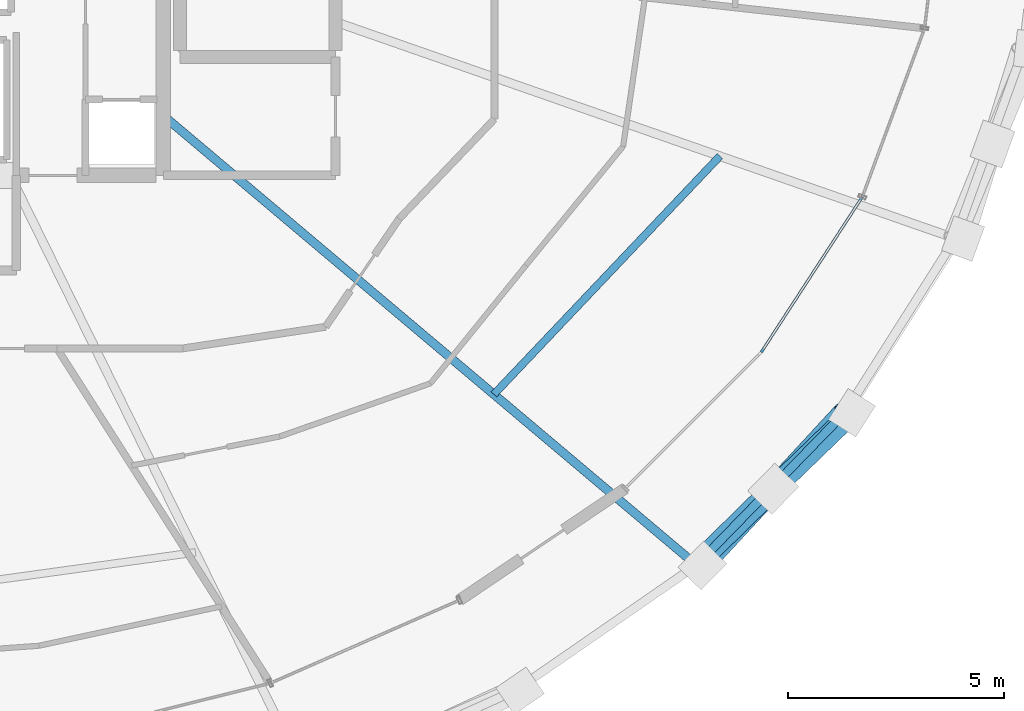
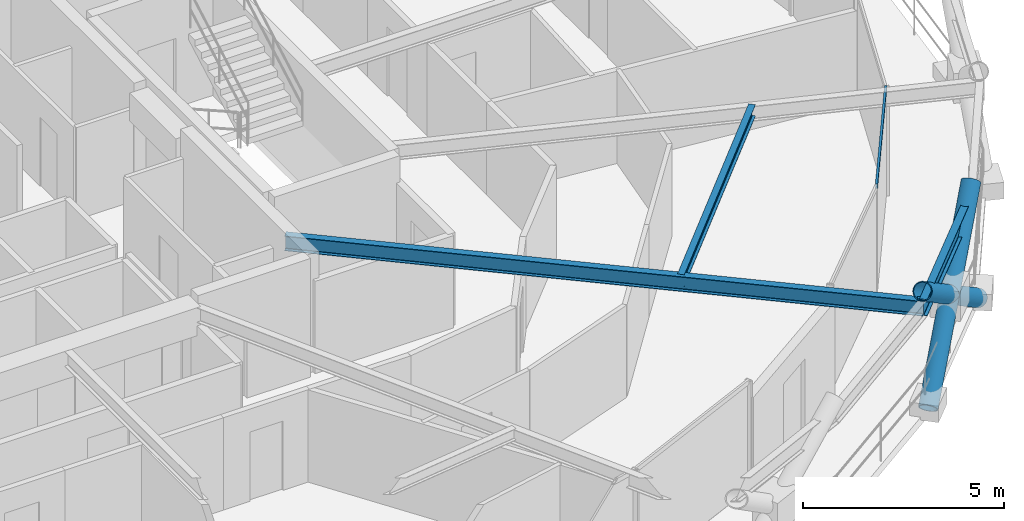
# One storey, part 7 of 17: 4 members, 3 beams, 1 element without a shape of its own.
"""IFC4 building model written with IfcOpenShell, lengths in metres."""

from ifc_helpers import new_model, si_unit, direction, frame, origin, origin_2d, place, context, subcontext, project, spatial, hollow_rectangle, hollow_circle, i_section, extrude, material, layer, layer_set, material_profile, profile_set, type_object, element, aggregate, save


model = new_model("IFC4")

# Units and contexts
model_context = context("Model", 3, precision=1e-05, world=origin(), true_north=direction((0.0, 1.0)))
body_context = subcontext(model_context, "Body", "Model", "MODEL_VIEW")
ifc_project = project(units=[si_unit("LENGTHUNIT", "METRE"), si_unit("AREAUNIT", "SQUARE_METRE"), si_unit("VOLUMEUNIT", "CUBIC_METRE"), si_unit("PLANEANGLEUNIT", "RADIAN"), si_unit("MASSUNIT", "GRAM", prefix="KILO")], contexts=[model_context])

# Site, building, storey
site_placement = place(None, origin())
site = spatial("IfcSite", under=ifc_project, at=site_placement, CompositionType="ELEMENT")
building_placement = place(site_placement, origin())
building = spatial("IfcBuilding", under=site, at=building_placement, Name="Veldorina Hangang Commons", CompositionType="ELEMENT")
storey_placement = place(building_placement, frame((0.0, 0.0, 178.39990234375)))
storey = spatial("IfcBuildingStorey", under=building, at=storey_placement, Name="L46", CompositionType="ELEMENT", Elevation=178.39990234375)

# Beams
ifc_material_1 = material(Name="Steel SM355-TMC", Category="steel")
ifc_material_profile_1 = material_profile(ifc_material_1, i_section(OverallWidth=0.199951171875, OverallDepth=0.449951171875, WebThickness=0.009033203125, FlangeThickness=0.013916015625, FilletRadius=0.01611328125, at=origin_2d()), Name="H-450x200x9x14")
ifc_profile_set_1 = profile_set([ifc_material_profile_1], Name="Steel SM355-TMC")
beam_type_1 = type_object("IfcBeamType", Name="BM-FG450", PredefinedType="BEAM", material=ifc_profile_set_1)
beam_1_placement = place(storey_placement, frame((39.199951171875, 17.92919921875, 3.125), z_axis=(0.764510758787, -0.644610967715, 0.0), x_axis=(0.644610967715, 0.764510758787, 0.0)))
element("IfcBeam", 1, at=beam_1_placement, inside=storey, type_object=beam_type_1, Name="L46 radial floor girder 15", PredefinedType="BEAM", context=body_context, shape_type="SweptSolid", body=[
    extrude(i_section(OverallWidth=0.199951171875, OverallDepth=0.449951171875, WebThickness=0.009033203125, FlangeThickness=0.013916015625, FilletRadius=0.01611328125, at=origin_2d()), origin(), (0.0, 0.0, 1.0), 16.116455078125),
])
ifc_material_profile_2 = material_profile(ifc_material_1, i_section(OverallWidth=0.175048828125, OverallDepth=0.35009765625, WebThickness=0.007080078125, FlangeThickness=0.010986328125, FilletRadius=0.012939453125, at=origin_2d()), Name="H-350x175x7x11")
ifc_profile_set_2 = profile_set([ifc_material_profile_2], Name="Steel SM355-TMC")
beam_type_2 = type_object("IfcBeamType", Name="BM-JST350", PredefinedType="JOIST", material=ifc_profile_set_2)
beam_2_placement = place(storey_placement, frame((46.839111328125, 11.488037109375, 3.175048828125), z_axis=(0.688250446363, 0.725473171855, 0.0), x_axis=(-0.725473171855, 0.688250446363, 0.0)))
element("IfcBeam", 2, at=beam_2_placement, inside=storey, type_object=beam_type_2, Name="L46 secondary floor joist 15", PredefinedType="JOIST", context=body_context, shape_type="SweptSolid", body=[
    extrude(i_section(OverallWidth=0.175048828125, OverallDepth=0.35009765625, WebThickness=0.007080078125, FlangeThickness=0.010986328125, FilletRadius=0.012939453125, at=origin_2d()), origin(), (0.0, 0.0, 1.0), 7.588623046875),
])
ifc_material_2 = material(Name="Steel SM420-TMC", Category="steel")
ifc_material_profile_3 = material_profile(ifc_material_2, i_section(OverallWidth=0.199951171875, OverallDepth=0.5, WebThickness=0.010009765625, FlangeThickness=0.01611328125, FilletRadius=0.01611328125, at=origin_2d()), Name="H-500x200x10x16")
ifc_profile_set_3 = profile_set([ifc_material_profile_3], Name="Steel SM420-TMC")
beam_type_3 = type_object("IfcBeamType", Name="BM-RB500", PredefinedType="BEAM", material=ifc_profile_set_3)
beam_3_placement = place(storey_placement, frame((51.521240234375, 7.540283203125, 3.10009765625), z_axis=(0.69746994306, 0.716614037351, 0.0), x_axis=(-0.716614037351, 0.69746994306, 0.0)))
element("IfcBeam", 3, at=beam_3_placement, inside=storey, type_object=beam_type_3, Name="L46 perimeter hoop ring beam 28", PredefinedType="BEAM", context=body_context, shape_type="SweptSolid", body=[
    extrude(i_section(OverallWidth=0.199951171875, OverallDepth=0.5, WebThickness=0.010009765625, FlangeThickness=0.01611328125, FilletRadius=0.01611328125, at=origin_2d()), origin(), (0.0, 0.0, 1.0), 4.922607421875),
])

# Curtain wall, member
ifc_material_3 = material(Name="Glass Low-E Triple IGU", Category="glass")
ifc_layer = layer(ifc_material_3, 0.179931640625)
ifc_layer_set = layer_set([ifc_layer], Name="Glass Low-E Triple IGU")
curtain_wall_type = type_object("IfcCurtainWallType", Name="CW-SYS-Z2", PredefinedType="NOTDEFINED", material=ifc_layer_set)
curtain_wall_placement = place(storey_placement, origin())
curtain_wall = element("IfcCurtainWall", 4, at=curtain_wall_placement, inside=storey, type_object=curtain_wall_type, Name="L46 unitised curtain wall CW-L46-R2", PredefinedType="NOTDEFINED")
ifc_material_4 = material(Name="Aluminium Anodized AA6063-T6", Category="aluminium")
ifc_material_profile_4 = material_profile(ifc_material_4, hollow_rectangle(XDim=0.06005859375, YDim=0.139892578125, WallThickness=0.00341796875, at=origin_2d()), Name="ALU-RHS-140x60x3.5")
ifc_profile_set_4 = profile_set([ifc_material_profile_4], Name="Aluminium Anodized AA6063-T6")
member_type_1 = type_object("IfcMemberType", Name="CW-TRN-140", PredefinedType="USERDEFINED", material=ifc_profile_set_4)
member_1_placement = place(storey_placement, frame((53.01904296875, 12.4619140625, 3.27001953125), z_axis=(0.545366913472, 0.838197428826, 0.0), x_axis=(-0.838197428826, 0.545366913472, 0.0)))
member_1 = element("IfcMember", 5, at=member_1_placement, type_object=member_type_1, Name="CW-L46-R2 facet 2 transom 1", ObjectType="TRANSOM", PredefinedType="USERDEFINED", context=body_context, shape_type="SweptSolid", body=[
    extrude(hollow_rectangle(XDim=0.06005859375, YDim=0.139892578125, WallThickness=0.00341796875, at=origin_2d()), origin(), (0.0, 0.0, 1.0), 4.28369140625),
])
aggregate(curtain_wall, [member_1])

# Members
ifc_material_profile_5 = material_profile(ifc_material_2, hollow_circle(Radius=0.25, WallThickness=0.02490234375, at=origin_2d()), Name="CHS-500x25")
ifc_profile_set_5 = profile_set([ifc_material_profile_5], Name="Steel SM420-TMC")
member_type_2 = type_object("IfcMemberType", Name="DG-CHS500", PredefinedType="BRACE", material=ifc_profile_set_5)
member_2_placement = place(storey_placement, frame((51.6572265625, 7.532958984375, 0.0), z_axis=(0.544008953168, 0.587935646252, 0.598653434583), x_axis=(-0.733994581924, 0.679155323697, 0.0)))
element("IfcMember", 6, at=member_2_placement, inside=storey, type_object=member_type_2, Name="L46 continuous perimeter diagrid brace 28", PredefinedType="BRACE", context=body_context, shape_type="SweptSolid", body=[
    extrude(hollow_circle(Radius=0.25, WallThickness=0.02490234375, at=origin_2d()), origin(), (0.0, 0.0, 1.0), 6.013671875),
])
member_3_placement = place(storey_placement, frame((55.114501953125, 11.06201171875, 0.0), z_axis=(-0.585307077238, -0.565815180481, 0.580748488481), x_axis=(0.695033742152, -0.718977118739, 0.0)))
element("IfcMember", 7, at=member_3_placement, inside=storey, type_object=member_type_2, Name="L46 split perimeter diagrid lower brace 29", PredefinedType="BRACE", context=body_context, shape_type="SweptSolid", body=[
    extrude(hollow_circle(Radius=0.25, WallThickness=0.02490234375, at=origin_2d()), origin(), (0.0, 0.0, 1.0), 3.106201171875),
])
member_4_placement = place(storey_placement, frame((53.29638671875, 9.304443359375, 1.803955078125), z_axis=(-0.581116789834, -0.570064439531, 0.580801008397), x_axis=(0.700285661072, -0.713862726928, 0.0)))
element("IfcMember", 8, at=member_4_placement, inside=storey, type_object=member_type_2, Name="L46 split perimeter diagrid upper brace 29", PredefinedType="BRACE", context=body_context, shape_type="SweptSolid", body=[
    extrude(hollow_circle(Radius=0.25, WallThickness=0.02490234375, at=origin_2d()), origin(), (0.0, 0.0, 1.0), 3.092529296875),
])

save(model, "model.ifc")
